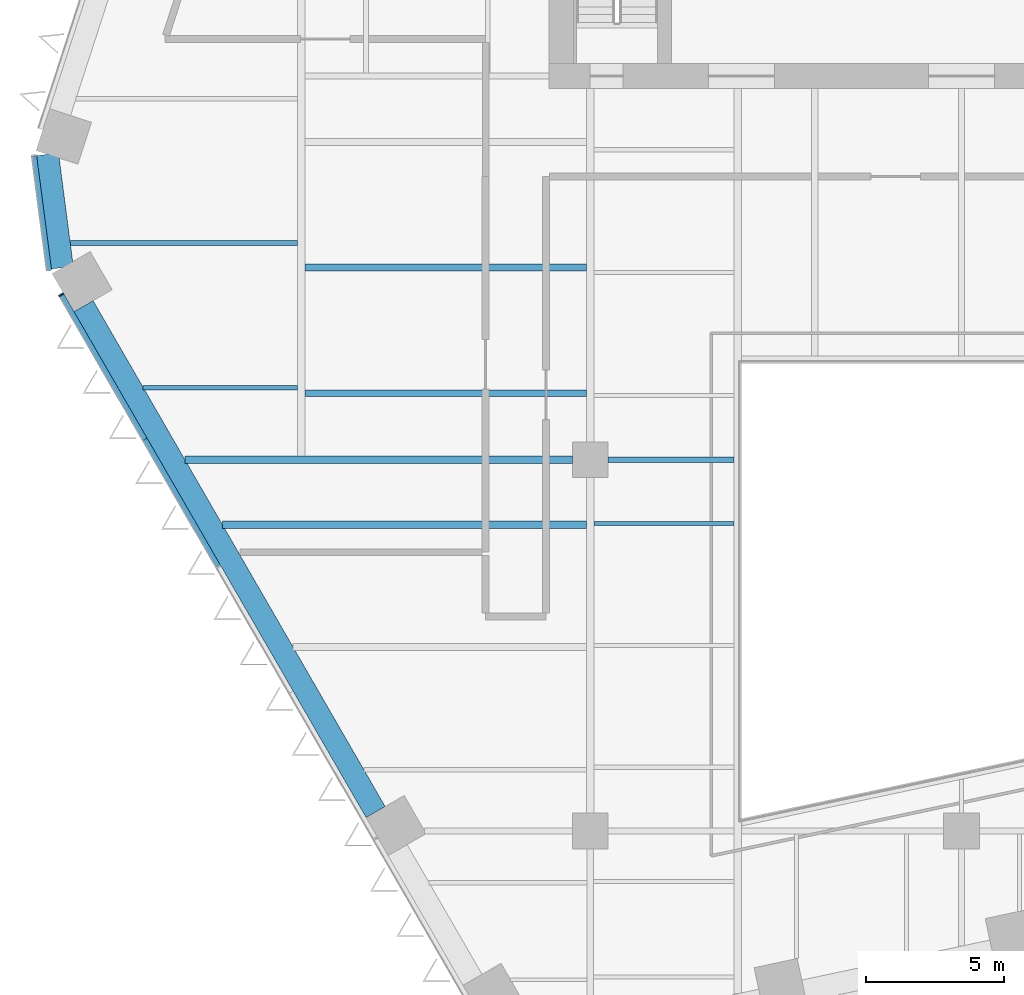
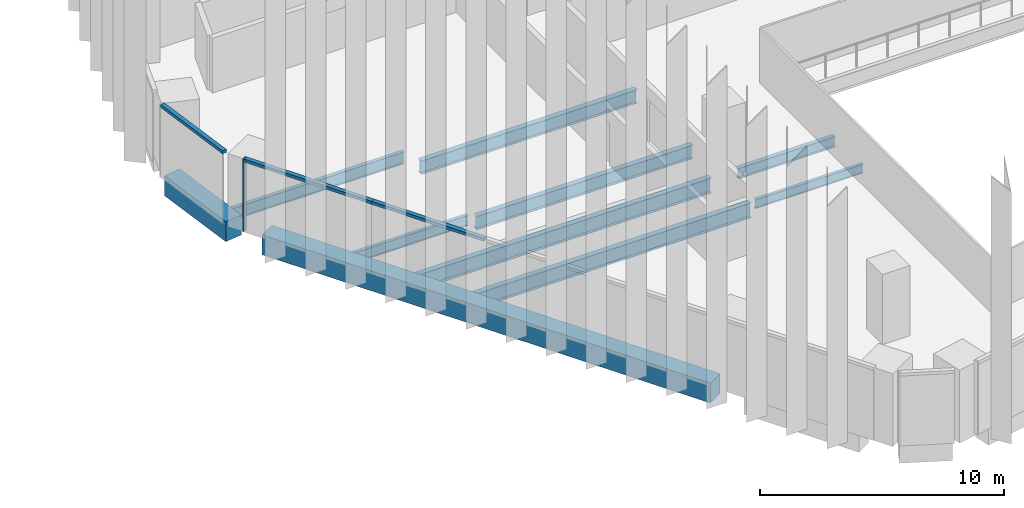
# One storey, part 3 of 24: 10 beams, 4 members, 2 elements without a shape of their own.
"""IFC4 building model written with IfcOpenShell, lengths in metres."""

from ifc_helpers import new_model, si_unit, direction, frame, origin, origin_2d, place, context, subcontext, project, spatial, rectangle, i_section, extrude, material, layer, layer_set, material_profile, profile_set, type_object, element, aggregate, save


model = new_model("IFC4")

# Units and contexts
model_context = context("Model", 3, precision=1e-05, world=origin(), true_north=direction((0.0, 1.0)))
body_context = subcontext(model_context, "Body", "Model", "MODEL_VIEW")
ifc_project = project(units=[si_unit("LENGTHUNIT", "METRE"), si_unit("AREAUNIT", "SQUARE_METRE"), si_unit("VOLUMEUNIT", "CUBIC_METRE"), si_unit("PLANEANGLEUNIT", "RADIAN"), si_unit("MASSUNIT", "GRAM", prefix="KILO")], contexts=[model_context])

# Site, building, storey
site_placement = place(None, origin())
site = spatial("IfcSite", under=ifc_project, at=site_placement, CompositionType="ELEMENT")
building_placement = place(site_placement, origin())
building = spatial("IfcBuilding", under=site, at=building_placement, Name="Isthmus Gate Tower", CompositionType="ELEMENT")
storey_placement = place(building_placement, frame((0.0, 0.0, 80.64990234375)))
storey = spatial("IfcBuildingStorey", under=building, at=storey_placement, Name="L18", CompositionType="ELEMENT", Elevation=80.64990234375)

# Curtain wall, member
ifc_material_1 = material(Name="Aluminium, pale champagne anodised", Category="aluminium")
ifc_layer = layer(ifc_material_1, 0.199951171875)
ifc_layer_set = layer_set([ifc_layer], Name="CW-1 UNITISED CURTAIN WALL 200 DEEP")
curtain_wall_type = type_object("IfcCurtainWallType", Name="CW-1 UNITISED CURTAIN WALL 200 DEEP", PredefinedType="NOTDEFINED", material=ifc_layer_set)
curtain_wall_1_placement = place(storey_placement, origin())
curtain_wall_1 = element("IfcCurtainWall", 1, at=curtain_wall_1_placement, inside=storey, type_object=curtain_wall_type, Name="CW-1 SW L18", PredefinedType="NOTDEFINED")
ifc_material_2 = material(Name="Aluminium, pale champagne anodised", Category="aluminium")
ifc_material_profile_1 = material_profile(ifc_material_2, rectangle(XDim=0.06005859375, YDim=0.199951171875, at=origin_2d()), Name="60x200")
ifc_profile_set_1 = profile_set([ifc_material_profile_1], Name="Aluminium, pale champagne anodised")
member_type_1 = type_object("IfcMemberType", Name="CW-1 MULLION 60 X 200", PredefinedType="MULLION", material=ifc_profile_set_1)
member_1_placement = place(storey_placement, frame((-32.7353515625, -7.500732421875, 0.0), z_axis=(0.0, 0.0, 1.0), x_axis=(0.5, -0.866025403784, 0.0)))
member_1 = element("IfcMember", 2, at=member_1_placement, type_object=member_type_1, Name="CW-1 mullion", PredefinedType="MULLION", context=body_context, shape_type="SweptSolid", body=[
    extrude(rectangle(XDim=0.06005859375, YDim=0.199951171875, at=origin_2d()), origin(), (0.0, 0.0, 1.0), 3.650146484375),
])

curtain_wall_2_placement = place(storey_placement, origin())
curtain_wall_2 = element("IfcCurtainWall", 3, at=curtain_wall_2_placement, inside=storey, type_object=curtain_wall_type, Name="CW-1 NW-SW L18", PredefinedType="NOTDEFINED")
ifc_material_3 = material(Name="Aluminium, pale champagne anodised", Category="aluminium")
ifc_material_profile_2 = material_profile(ifc_material_3, rectangle(XDim=0.199951171875, YDim=0.14990234375, at=origin_2d()), Name="200x150")
ifc_profile_set_2 = profile_set([ifc_material_profile_2], Name="Aluminium, pale champagne anodised")
member_type_2 = type_object("IfcMemberType", Name="CW-1 TRANSOM 200 X 150", PredefinedType="USERDEFINED", material=ifc_profile_set_2)
member_2_placement = place(storey_placement, frame((-33.71923828125, -2.474609375, 3.5751953125), z_axis=(0.129206893318, -0.991617657527, 0.0), x_axis=(0.991617657527, 0.129206893318, 0.0)))
member_2 = element("IfcMember", 4, at=member_2_placement, type_object=member_type_2, Name="CW-1 transom", ObjectType="TRANSOM", PredefinedType="USERDEFINED", context=body_context, shape_type="SweptSolid", body=[
    extrude(rectangle(XDim=0.199951171875, YDim=0.14990234375, at=origin_2d()), origin(), (0.0, 0.0, 1.0), 4.181640625),
])
aggregate(curtain_wall_2, [member_2])

# Member
member_3_placement = place(storey_placement, frame((-32.720458984375, -7.526611328125, 3.5751953125), z_axis=(0.500011280007, -0.866018891171, 0.0), x_axis=(0.866018891171, 0.500011280007, 0.0)))
member_3 = element("IfcMember", 5, at=member_3_placement, type_object=member_type_2, Name="CW-1 transom", ObjectType="TRANSOM", PredefinedType="USERDEFINED", context=body_context, shape_type="SweptSolid", body=[
    extrude(rectangle(XDim=0.199951171875, YDim=0.14990234375, at=origin_2d()), origin(), (0.0, 0.0, 1.0), 6.048583984375),
])

member_4_placement = place(storey_placement, frame((-29.696044921875, -12.764892578125, 3.5751953125), z_axis=(0.499997139945, -0.866027055032, 0.0), x_axis=(0.866027055032, 0.499997139945, 0.0)))
member_4 = element("IfcMember", 6, at=member_4_placement, type_object=member_type_2, Name="CW-1 transom", ObjectType="TRANSOM", PredefinedType="USERDEFINED", context=body_context, shape_type="SweptSolid", body=[
    extrude(rectangle(XDim=0.199951171875, YDim=0.14990234375, at=origin_2d()), origin(), (0.0, 0.0, 1.0), 5.30859375),
])

aggregate(curtain_wall_1, [member_1, member_3, member_4])

# Beams
ifc_material_4 = material(Name="Concrete f'c 70 MPa", Category="concrete")
ifc_material_profile_3 = material_profile(ifc_material_4, rectangle(XDim=0.800048828125, YDim=1.0, at=origin_2d()), Name="RC 800X1000")
ifc_profile_set_3 = profile_set([ifc_material_profile_3], Name="Concrete f'c 70 MPa")
beam_type_1 = type_object("IfcBeamType", Name="RC SPANDREL 800 X 1000", PredefinedType="SPANDREL", material=ifc_profile_set_3)
beam_1_placement = place(storey_placement, frame((-21.300048828125, -26.30712890625, -0.5), z_axis=(-0.499997139945, 0.866027055032, 0.0), x_axis=(-0.866027055032, -0.499997139945, 0.0)))
element("IfcBeam", 7, at=beam_1_placement, inside=storey, type_object=beam_type_1, Name="str-spandrel-L18-16", PredefinedType="SPANDREL", context=body_context, shape_type="SweptSolid", body=[
    extrude(rectangle(XDim=0.800048828125, YDim=1.0, at=origin_2d()), origin(), (0.0, 0.0, 1.0), 21.234375),
])
beam_2_placement = place(storey_placement, frame((-32.6884765625, -6.515380859375, -0.5), z_axis=(-0.129170777359, 0.991622362735, 0.0), x_axis=(-0.991622362735, -0.129170777359, 0.0)))
element("IfcBeam", 8, at=beam_2_placement, inside=storey, type_object=beam_type_1, Name="str-spandrel-L18-17", PredefinedType="SPANDREL", context=body_context, shape_type="SweptSolid", body=[
    extrude(rectangle(XDim=0.800048828125, YDim=1.0, at=origin_2d()), origin(), (0.0, 0.0, 1.0), 4.15234375),
])
ifc_material_5 = material(Name="Structural steel ASTM A992 Gr 50", Category="steel")
ifc_material_profile_4 = material_profile(ifc_material_5, i_section(OverallWidth=0.15234375, OverallDepth=0.45068359375, WebThickness=0.0078125, FlangeThickness=0.010986328125, at=origin_2d()), Name="W18X35")
ifc_profile_set_4 = profile_set([ifc_material_profile_4], Name="Structural steel ASTM A992 Gr 50")
beam_type_2 = type_object("IfcBeamType", Name="STEEL FLOOR BEAM W18X35", PredefinedType="JOIST", material=ifc_profile_set_4)
beam_3_placement = place(storey_placement, frame((-13.3681640625, -15.81982421875, -0.375244140625), z_axis=(1.0, 0.0, 0.0), x_axis=(0.0, 1.0, 0.0)))
element("IfcBeam", 9, at=beam_3_placement, inside=storey, type_object=beam_type_2, Name="str-beam-L18-13-02", PredefinedType="JOIST", context=body_context, shape_type="SweptSolid", body=[
    extrude(i_section(OverallWidth=0.15234375, OverallDepth=0.45068359375, WebThickness=0.0078125, FlangeThickness=0.010986328125, at=origin_2d()), origin(), (0.0, 0.0, 1.0), 5.1015625),
])
ifc_material_6 = material(Name="Structural steel ASTM A992 Gr 50", Category="steel")
ifc_material_profile_5 = material_profile(ifc_material_6, i_section(OverallWidth=0.1650390625, OverallDepth=0.52392578125, WebThickness=0.009521484375, FlangeThickness=0.010986328125, at=origin_2d()), Name="W21X44")
ifc_profile_set_5 = profile_set([ifc_material_profile_5], Name="Structural steel ASTM A992 Gr 50")
beam_type_3 = type_object("IfcBeamType", Name="STEEL FLOOR BEAM W21X44", PredefinedType="JOIST", material=ifc_profile_set_5)
beam_4_placement = place(storey_placement, frame((-29.748046875, -10.875, -0.411865234375), z_axis=(1.0, 0.0, 0.0), x_axis=(0.0, 1.0, 0.0)))
element("IfcBeam", 10, at=beam_4_placement, inside=storey, type_object=beam_type_3, Name="str-beam-L18-00-00", PredefinedType="JOIST", context=body_context, shape_type="SweptSolid", body=[
    extrude(i_section(OverallWidth=0.1650390625, OverallDepth=0.52392578125, WebThickness=0.009521484375, FlangeThickness=0.010986328125, at=origin_2d()), origin(), (0.0, 0.0, 1.0), 5.61474609375),
])
ifc_material_7 = material(Name="Structural steel ASTM A992 Gr 50", Category="steel")
ifc_material_profile_6 = material_profile(ifc_material_7, i_section(OverallWidth=0.177734375, OverallDepth=0.60009765625, WebThickness=0.009521484375, FlangeThickness=0.0126953125, at=origin_2d()), Name="W24X55")
ifc_profile_set_6 = profile_set([ifc_material_profile_6], Name="Structural steel ASTM A992 Gr 50")
beam_type_4 = type_object("IfcBeamType", Name="STEEL FLOOR BEAM W24X55", PredefinedType="JOIST", material=ifc_profile_set_6)
beam_5_placement = place(storey_placement, frame((-32.401123046875, -5.625, -0.449951171875), z_axis=(1.0, 0.0, 0.0), x_axis=(0.0, 1.0, 0.0)))
element("IfcBeam", 11, at=beam_5_placement, inside=storey, type_object=beam_type_4, Name="str-beam-L18-00-01", PredefinedType="JOIST", context=body_context, shape_type="SweptSolid", body=[
    extrude(i_section(OverallWidth=0.177734375, OverallDepth=0.60009765625, WebThickness=0.009521484375, FlangeThickness=0.0126953125, at=origin_2d()), origin(), (0.0, 0.0, 1.0), 8.267822265625),
])
ifc_material_8 = material(Name="Structural steel ASTM A992 Gr 50", Category="steel")
ifc_material_profile_7 = material_profile(ifc_material_8, i_section(OverallWidth=0.25390625, OverallDepth=0.679443359375, WebThickness=0.010986328125, FlangeThickness=0.015869140625, at=origin_2d()), Name="W27X84")
ifc_profile_set_7 = profile_set([ifc_material_profile_7], Name="Structural steel ASTM A992 Gr 50")
beam_type_5 = type_object("IfcBeamType", Name="STEEL FLOOR BEAM W27X84", PredefinedType="JOIST", material=ifc_profile_set_7)
for number, where, z_axis, x_axis, name in (
    (12, (-23.86669921875, -11.0830078125, -0.489501953125), (1.0, 0.0, 0.0), (0.0, 1.0, 0.0), "str-beam-L18-08-00"),
    (13, (-23.86669921875, -6.515380859375, -0.489501953125), (1.0, 0.0, 0.0), (0.0, 1.0, 0.0), "str-beam-L18-08-01"),
):
    element("IfcBeam", number, at=place(storey_placement, frame(where, z_axis=z_axis, x_axis=x_axis)), inside=storey, type_object=beam_type_5, Name=name, PredefinedType="JOIST", context=body_context, shape_type="SweptSolid", body=[
        extrude(i_section(OverallWidth=0.25390625, OverallDepth=0.679443359375, WebThickness=0.010986328125, FlangeThickness=0.015869140625, at=origin_2d()), origin(), (0.0, 0.0, 1.0), 10.23486328125),
    ])
ifc_material_9 = material(Name="Structural steel ASTM A992 Gr 50", Category="steel")
ifc_material_profile_8 = material_profile(ifc_material_9, i_section(OverallWidth=0.263427734375, OverallDepth=0.749267578125, WebThickness=0.0126953125, FlangeThickness=0.015869140625, at=origin_2d()), Name="W30X90")
ifc_profile_set_8 = profile_set([ifc_material_profile_8], Name="Structural steel ASTM A992 Gr 50")
beam_type_6 = type_object("IfcBeamType", Name="STEEL FLOOR BEAM W30X90", PredefinedType="JOIST", material=ifc_profile_set_8)
beam_6_placement = place(storey_placement, frame((-26.869140625, -15.861083984375, -0.524658203125), z_axis=(1.0, 0.0, 0.0), x_axis=(0.0, 1.0, 0.0)))
element("IfcBeam", 14, at=beam_6_placement, inside=storey, type_object=beam_type_6, Name="str-beam-L18-06-02", PredefinedType="JOIST", context=body_context, shape_type="SweptSolid", body=[
    extrude(i_section(OverallWidth=0.263427734375, OverallDepth=0.749267578125, WebThickness=0.0126953125, FlangeThickness=0.015869140625, at=origin_2d()), origin(), (0.0, 0.0, 1.0), 13.2373046875),
])
ifc_material_10 = material(Name="Structural steel ASTM A992 Gr 50", Category="steel")
ifc_material_profile_9 = material_profile(ifc_material_10, i_section(OverallWidth=0.20947265625, OverallDepth=0.533447265625, WebThickness=0.009521484375, FlangeThickness=0.015869140625, at=origin_2d()), Name="W21X62")
ifc_profile_set_9 = profile_set([ifc_material_profile_9], Name="Structural steel ASTM A992 Gr 50")
beam_type_7 = type_object("IfcBeamType", Name="STEEL GIRDER W21X62", PredefinedType="BEAM", material=ifc_profile_set_9)
beam_7_placement = place(storey_placement, frame((-12.85009765625, -13.5, -0.41650390625), z_axis=(1.0, 0.0, 0.0), x_axis=(0.0, 1.0, 0.0)))
element("IfcBeam", 15, at=beam_7_placement, inside=storey, type_object=beam_type_7, Name="str-girder-L18-06", PredefinedType="BEAM", context=body_context, shape_type="SweptSolid", body=[
    extrude(i_section(OverallWidth=0.20947265625, OverallDepth=0.533447265625, WebThickness=0.009521484375, FlangeThickness=0.015869140625, at=origin_2d()), origin(), (0.0, 0.0, 1.0), 4.58349609375),
])
ifc_material_11 = material(Name="Structural steel ASTM A992 Gr 50", Category="steel")
ifc_material_profile_10 = material_profile(ifc_material_11, i_section(OverallWidth=0.2666015625, OverallDepth=0.7587890625, WebThickness=0.014404296875, FlangeThickness=0.01904296875, at=origin_2d()), Name="W30X108")
ifc_profile_set_10 = profile_set([ifc_material_profile_10], Name="Structural steel ASTM A992 Gr 50")
beam_type_8 = type_object("IfcBeamType", Name="STEEL GIRDER W30X108", PredefinedType="BEAM", material=ifc_profile_set_10)
beam_8_placement = place(storey_placement, frame((-28.232421875, -13.5, -0.529296875), z_axis=(1.0, 0.0, 0.0), x_axis=(0.0, 1.0, 0.0)))
element("IfcBeam", 16, at=beam_8_placement, inside=storey, type_object=beam_type_8, Name="str-girder-L18-05", PredefinedType="BEAM", context=body_context, shape_type="SweptSolid", body=[
    extrude(i_section(OverallWidth=0.2666015625, OverallDepth=0.7587890625, WebThickness=0.014404296875, FlangeThickness=0.01904296875, at=origin_2d()), origin(), (0.0, 0.0, 1.0), 14.08251953125),
])

save(model, "model.ifc")
